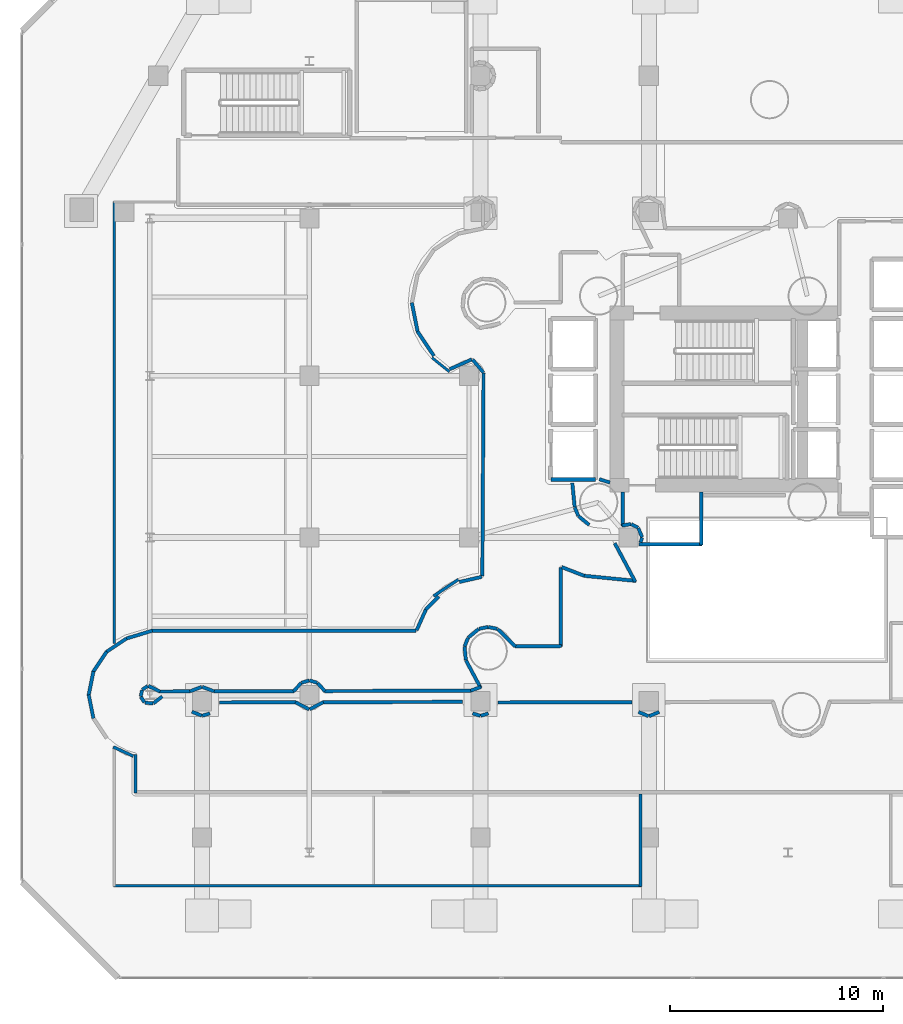
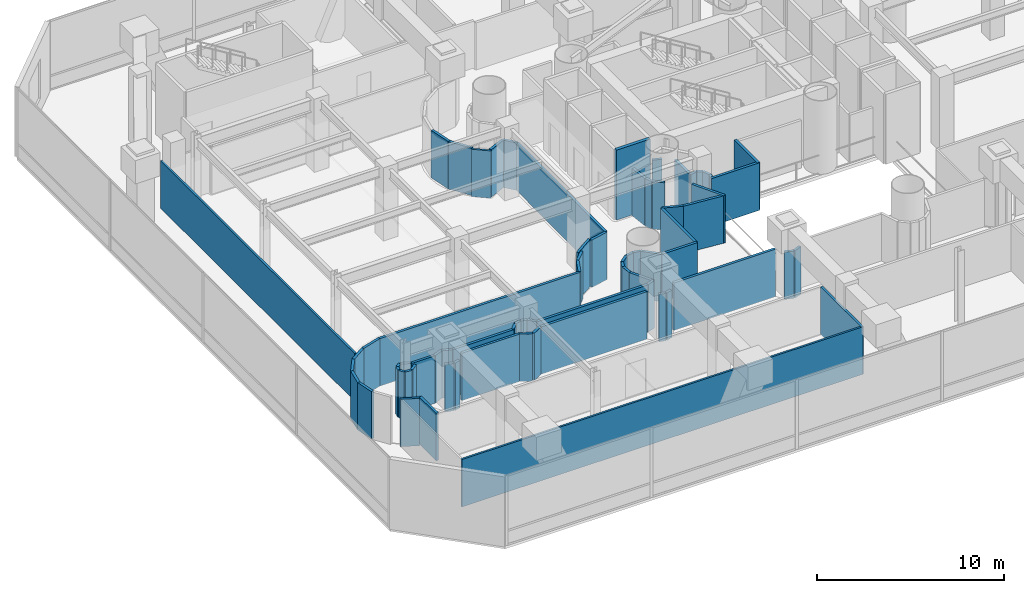
# One storey, part 31 of 45: 72 walls.
"""IFC4 building model written with IfcOpenShell, lengths in metres."""

from ifc_helpers import new_model, si_unit, direction, frame, frame_2d, origin, place, context, subcontext, project, spatial, rectangle, extrude, material, layer, layer_set, type_object, element, save


model = new_model("IFC4")

# Units and contexts
model_context = context("Model", 3, precision=1e-05, world=origin(), true_north=direction((0.0, 1.0)))
body_context = subcontext(model_context, "Body", "Model", "MODEL_VIEW")
ifc_project = project(units=[si_unit("LENGTHUNIT", "METRE"), si_unit("AREAUNIT", "SQUARE_METRE"), si_unit("VOLUMEUNIT", "CUBIC_METRE"), si_unit("PLANEANGLEUNIT", "RADIAN"), si_unit("MASSUNIT", "GRAM", prefix="KILO")], contexts=[model_context])

# Site, building, storey
site_placement = place(None, origin())
site = spatial("IfcSite", under=ifc_project, at=site_placement, CompositionType="ELEMENT")
building_placement = place(site_placement, origin())
building = spatial("IfcBuilding", under=site, at=building_placement, Name="Qianvela Tower", CompositionType="ELEMENT")
storey_placement = place(building_placement, frame((0.0, 0.0, 11.0)))
storey = spatial("IfcBuildingStorey", under=building, at=storey_placement, Name="L02", CompositionType="ELEMENT", Elevation=11.0)

# Walls
ifc_material_1 = material(Name="Fire-Rated Gypsum and Concrete Block", Category="concrete")
ifc_layer_1 = layer(ifc_material_1, 0.159912109375)
ifc_layer_set_1 = layer_set([ifc_layer_1], Name="Fire-Rated Gypsum and Concrete Block")
wall_type_1 = type_object("IfcWallType", Name="WT-CORR-160", PredefinedType="PARTITIONING", material=ifc_layer_set_1)
wall_1_placement = place(storey_placement, frame((30.569091796875, 21.970458984375, 0.0), z_axis=(0.0, 0.0, 1.0), x_axis=(0.304162531931, 0.952620152091, 0.0)))
element("IfcWall", 1, at=wall_1_placement, inside=storey, type_object=wall_type_1, Name="L02 Partition 5", PredefinedType="PARTITIONING", context=body_context, shape_type="SweptSolid", body=[
    extrude(rectangle(XDim=0.231201171875, YDim=0.159912109375, at=frame_2d((0.11572265625, 0.0))), origin(), (0.0, 0.0, 1.0), 3.10009765625),
])
wall_2_placement = place(storey_placement, frame((30.638671875, 22.2119140625, 0.0), z_axis=(0.0, 0.0, 1.0), x_axis=(-0.382721202621, 0.923863886655, 0.0)))
element("IfcWall", 2, at=wall_2_placement, inside=storey, type_object=wall_type_1, Name="L02 Partition 6", PredefinedType="PARTITIONING", context=body_context, shape_type="SweptSolid", body=[
    extrude(rectangle(XDim=0.467041015625, YDim=0.159912109375, at=frame_2d((0.2333984375, 0.0))), origin(), (0.0, 0.0, 1.0), 3.10009765625),
])
wall_3_placement = place(storey_placement, frame((30.44580078125, 22.65869140625, 0.0), z_axis=(0.0, 0.0, 1.0), x_axis=(-0.881817981942, 0.471589913721, 0.0)))
element("IfcWall", 3, at=wall_3_placement, inside=storey, type_object=wall_type_1, Name="L02 Partition 7", PredefinedType="PARTITIONING", context=body_context, shape_type="SweptSolid", body=[
    extrude(rectangle(XDim=0.35400390625, YDim=0.159912109375, at=frame_2d((0.177001953125, 0.0))), origin(), (0.0, 0.0, 1.0), 3.10009765625),
])
wall_4_placement = place(storey_placement, frame((30.114013671875, 22.828857421875, 0.0), z_axis=(0.0, 0.0, 1.0), x_axis=(-0.986222627979, -0.165423480989, 0.0)))
element("IfcWall", 4, at=wall_4_placement, inside=storey, type_object=wall_type_1, Name="L02 Partition 8", PredefinedType="PARTITIONING", context=body_context, shape_type="SweptSolid", body=[
    extrude(rectangle(XDim=0.425048828125, YDim=0.159912109375, at=frame_2d((0.21240234375, 0.0))), origin(), (0.0, 0.0, 1.0), 3.10009765625),
])
wall_5_placement = place(storey_placement, frame((29.73095703125, 22.72802734375, 0.0), z_axis=(0.0, 0.0, 1.0), x_axis=(0.0, 1.0, 0.0)))
element("IfcWall", 5, at=wall_5_placement, inside=storey, type_object=wall_type_1, Name="L02 Partition 9", PredefinedType="PARTITIONING", context=body_context, shape_type="SweptSolid", body=[
    extrude(rectangle(XDim=1.614013671875, YDim=0.159912109375, at=frame_2d((0.80712890625, 0.0))), origin(), (0.0, 0.0, 1.0), 3.10009765625),
])
wall_6_placement = place(storey_placement, frame((33.4189453125, 24.342041015625, 0.0), z_axis=(0.0, 0.0, 1.0), x_axis=(0.0, -1.0, 0.0)))
element("IfcWall", 6, at=wall_6_placement, inside=storey, type_object=wall_type_1, Name="L02 Partition 11", PredefinedType="PARTITIONING", context=body_context, shape_type="SweptSolid", body=[
    extrude(rectangle(XDim=2.491943359375, YDim=0.159912109375, at=frame_2d((1.24609375, 0.0))), origin(), (0.0, 0.0, 1.0), 3.10009765625),
])
wall_7_placement = place(storey_placement, frame((33.449951171875, 21.881103515625, 0.0), z_axis=(0.0, 0.0, 1.0), x_axis=(-1.0, 0.0, 0.0)))
element("IfcWall", 7, at=wall_7_placement, inside=storey, type_object=wall_type_1, Name="L02 Partition 12", PredefinedType="PARTITIONING", context=body_context, shape_type="SweptSolid", body=[
    extrude(rectangle(XDim=2.951904296875, YDim=0.159912109375, at=frame_2d((1.47607421875, 0.0))), origin(), (0.0, 0.0, 1.0), 3.10009765625),
])
wall_8_placement = place(storey_placement, frame((29.1298828125, 24.781982421875, 0.0), z_axis=(0.0, 0.0, 1.0), x_axis=(-0.955000482512, 0.296604245422, 0.0)))
element("IfcWall", 8, at=wall_8_placement, inside=storey, type_object=wall_type_1, Name="L02 Partition 29", PredefinedType="PARTITIONING", context=body_context, shape_type="SweptSolid", body=[
    extrude(rectangle(XDim=0.5244140625, YDim=0.159912109375, at=frame_2d((0.26220703125, 0.0))), origin(), (0.0, 0.0, 1.0), 3.10009765625),
])
wall_9_placement = place(storey_placement, frame((7.982177734375, 14.9580078125, 0.0), z_axis=(0.0, 0.0, 1.0), x_axis=(-0.901711421795, 0.432338422771, 0.0)))
element("IfcWall", 9, at=wall_9_placement, inside=storey, type_object=wall_type_1, Name="L02 Partition 36", PredefinedType="PARTITIONING", context=body_context, shape_type="SweptSolid", body=[
    extrude(rectangle(XDim=0.6064453125, YDim=0.159912109375, at=frame_2d((0.30322265625, 0.0))), origin(), (0.0, 0.0, 1.0), 3.10009765625),
])
for number, where, z_axis, x_axis, name in (
    (10, (7.40478515625, 15.218017578125, 0.0), (0.0, 0.0, 1.0), (-0.83180482467, -0.555068224325, 0.0), "L02 Partition 37"),
    (11, (7.136962890625, 15.0283203125, 0.0), (0.0, 0.0, 1.0), (-0.194582302114, -0.980886195083, 0.0), "L02 Partition 38"),
    (12, (7.081787109375, 14.70458984375, 0.0), (0.0, 0.0, 1.0), (0.555988102953, -0.831190248604, 0.0), "L02 Partition 39"),
):
    element("IfcWall", number, at=place(storey_placement, frame(where, z_axis=z_axis, x_axis=x_axis)), inside=storey, type_object=wall_type_1, Name=name, PredefinedType="PARTITIONING", context=body_context, shape_type="SweptSolid", body=[
        extrude(rectangle(XDim=0.30615234375, YDim=0.159912109375, at=frame_2d((0.153076171875, 0.0))), origin(), (0.0, 0.0, 1.0), 3.10009765625),
    ])
wall_10_placement = place(storey_placement, frame((7.274658203125, 14.4365234375, 0.0), z_axis=(0.0, 0.0, 1.0), x_axis=(0.995208778937, -0.097772625647, 0.0)))
element("IfcWall", 13, at=wall_10_placement, inside=storey, type_object=wall_type_1, Name="L02 Partition 40", PredefinedType="PARTITIONING", context=body_context, shape_type="SweptSolid", body=[
    extrude(rectangle(XDim=0.376953125, YDim=0.159912109375, at=frame_2d((0.1884765625, 0.0))), origin(), (0.0, 0.0, 1.0), 3.10009765625),
])
wall_11_placement = place(storey_placement, frame((7.672119140625, 14.406005859375, 0.0), z_axis=(0.0, 0.0, 1.0), x_axis=(0.791408132768, 0.611288121419, 0.0)))
element("IfcWall", 14, at=wall_11_placement, inside=storey, type_object=wall_type_1, Name="L02 Partition 41", PredefinedType="PARTITIONING", context=body_context, shape_type="SweptSolid", body=[
    extrude(rectangle(XDim=0.523193359375, YDim=0.159912109375, at=frame_2d((0.26171875, 0.0))), origin(), (0.0, 0.0, 1.0), 3.10009765625),
])
wall_12_placement = place(storey_placement, frame((9.48388671875, 14.01171875, 0.0), z_axis=(0.0, 0.0, 1.0), x_axis=(0.923873311503, -0.382698450862, 0.0)))
element("IfcWall", 15, at=wall_12_placement, inside=storey, type_object=wall_type_1, Name="L02 Partition 44", PredefinedType="PARTITIONING", context=body_context, shape_type="SweptSolid", body=[
    extrude(rectangle(XDim=0.49755859375, YDim=0.159912109375, at=frame_2d((0.248779296875, 0.0))), origin(), (0.0, 0.0, 1.0), 3.10009765625),
])
wall_13_placement = place(storey_placement, frame((9.96435546875, 13.8203125, 0.0), z_axis=(0.0, 0.0, 1.0), x_axis=(0.956877365317, 0.290492181898, 0.0)))
element("IfcWall", 16, at=wall_13_placement, inside=storey, type_object=wall_type_1, Name="L02 Partition 45", PredefinedType="PARTITIONING", context=body_context, shape_type="SweptSolid", body=[
    extrude(rectangle(XDim=0.37744140625, YDim=0.159912109375, at=frame_2d((0.188720703125, 0.0))), origin(), (0.0, 0.0, 1.0), 3.10009765625),
])
wall_14_placement = place(storey_placement, frame((10.772216796875, 14.4443359375, 0.0), z_axis=(0.0, 0.0, 1.0), x_axis=(0.999996839238, 0.002514262235, 0.0)))
element("IfcWall", 17, at=wall_14_placement, inside=storey, type_object=wall_type_1, Name="L02 Partition 47", PredefinedType="PARTITIONING", context=body_context, shape_type="SweptSolid", body=[
    extrude(rectangle(XDim=3.5927734375, YDim=0.159912109375, at=frame_2d((1.79638671875, 0.0))), origin(), (0.0, 0.0, 1.0), 3.10009765625),
])
wall_15_placement = place(storey_placement, frame((14.350341796875, 14.45703125, 0.0), z_axis=(0.0, 0.0, 1.0), x_axis=(0.884844444862, -0.46588658319, 0.0)))
element("IfcWall", 18, at=wall_15_placement, inside=storey, type_object=wall_type_1, Name="L02 Partition 48", PredefinedType="PARTITIONING", context=body_context, shape_type="SweptSolid", body=[
    extrude(rectangle(XDim=0.718017578125, YDim=0.159912109375, at=frame_2d((0.35888671875, 0.0))), origin(), (0.0, 0.0, 1.0), 3.10009765625),
])
wall_16_placement = place(storey_placement, frame((15.014404296875, 14.12255859375, 0.0), z_axis=(0.0, 0.0, 1.0), x_axis=(0.884206543693, 0.467096122967, 0.0)))
element("IfcWall", 19, at=wall_16_placement, inside=storey, type_object=wall_type_1, Name="L02 Partition 49", PredefinedType="PARTITIONING", context=body_context, shape_type="SweptSolid", body=[
    extrude(rectangle(XDim=0.722900390625, YDim=0.159912109375, at=frame_2d((0.361328125, 0.0))), origin(), (0.0, 0.0, 1.0), 3.10009765625),
])
wall_17_placement = place(storey_placement, frame((15.63916015625, 14.45654296875, 0.0), z_axis=(0.0, 0.0, 1.0), x_axis=(0.99999689636, 0.002491439538, 0.0)))
element("IfcWall", 20, at=wall_17_placement, inside=storey, type_object=wall_type_1, Name="L02 Partition 50", PredefinedType="PARTITIONING", context=body_context, shape_type="SweptSolid", body=[
    extrude(rectangle(XDim=6.5654296875, YDim=0.159912109375, at=frame_2d((3.28271484375, 0.0))), origin(), (0.0, 0.0, 1.0), 3.10009765625),
])
for number, where, z_axis, x_axis, name in (
    (21, (22.674560546875, 13.929931640625, 0.0), (0.0, 0.0, 1.0), (0.956877365317, -0.290492181898, 0.0), "L02 Partition 52"),
    (22, (23.0537109375, 13.8203125, 0.0), (0.0, 0.0, 1.0), (0.956877365317, 0.290492181898, 0.0), "L02 Partition 53"),
):
    element("IfcWall", number, at=place(storey_placement, frame(where, z_axis=z_axis, x_axis=x_axis)), inside=storey, type_object=wall_type_1, Name=name, PredefinedType="PARTITIONING", context=body_context, shape_type="SweptSolid", body=[
        extrude(rectangle(XDim=0.37744140625, YDim=0.159912109375, at=frame_2d((0.188720703125, 0.0))), origin(), (0.0, 0.0, 1.0), 3.10009765625),
    ])
wall_18_placement = place(storey_placement, frame((23.861328125, 14.4443359375, 0.0), z_axis=(0.0, 0.0, 1.0), x_axis=(0.999996837175, 0.002515082588, 0.0)))
element("IfcWall", 23, at=wall_18_placement, inside=storey, type_object=wall_type_1, Name="L02 Partition 55", PredefinedType="PARTITIONING", context=body_context, shape_type="SweptSolid", body=[
    extrude(rectangle(XDim=6.3095703125, YDim=0.159912109375, at=frame_2d((3.15478515625, 0.0))), origin(), (0.0, 0.0, 1.0), 3.10009765625),
])
wall_19_placement = place(storey_placement, frame((30.4697265625, 13.99755859375, 0.0), z_axis=(0.0, 0.0, 1.0), x_axis=(0.924045828763, -0.382281710714, 0.0)))
element("IfcWall", 24, at=wall_19_placement, inside=storey, type_object=wall_type_1, Name="L02 Partition 56", PredefinedType="PARTITIONING", context=body_context, shape_type="SweptSolid", body=[
    extrude(rectangle(XDim=0.512939453125, YDim=0.159912109375, at=frame_2d((0.25634765625, 0.0))), origin(), (0.0, 0.0, 1.0), 3.10009765625),
])
wall_20_placement = place(storey_placement, frame((30.96728515625, 13.801513671875, 0.0), z_axis=(0.0, 0.0, 1.0), x_axis=(0.923976210744, 0.382449947024, 0.0)))
element("IfcWall", 25, at=wall_20_placement, inside=storey, type_object=wall_type_1, Name="L02 Partition 57", PredefinedType="PARTITIONING", context=body_context, shape_type="SweptSolid", body=[
    extrude(rectangle(XDim=0.5126953125, YDim=0.159912109375, at=frame_2d((0.25634765625, 0.0))), origin(), (0.0, 0.0, 1.0), 3.10009765625),
])
wall_21_placement = place(storey_placement, frame((6.8310546875, 10.199951171875, 0.0), z_axis=(0.0, 0.0, 1.0), x_axis=(0.0, 1.0, 0.0)))
element("IfcWall", 26, at=wall_21_placement, inside=storey, type_object=wall_type_1, Name="L02 Partition 86", PredefinedType="PARTITIONING", context=body_context, shape_type="SweptSolid", body=[
    extrude(rectangle(XDim=1.79638671875, YDim=0.159912109375, at=frame_2d((0.898193359375, 0.0))), origin(), (0.0, 0.0, 1.0), 3.10009765625),
])
wall_22_placement = place(storey_placement, frame((4.851318359375, 13.6962890625, 0.0), z_axis=(0.0, 0.0, 1.0), x_axis=(-0.195286119633, 0.980746313518, 0.0)))
element("IfcWall", 27, at=wall_22_placement, inside=storey, type_object=wall_type_1, Name="L02 Partition 89", PredefinedType="PARTITIONING", context=body_context, shape_type="SweptSolid", body=[
    extrude(rectangle(XDim=1.13134765625, YDim=0.159912109375, at=frame_2d((0.565673828125, 0.0))), origin(), (0.0, 0.0, 1.0), 3.10009765625),
])
for number, where, z_axis, x_axis, name in (
    (28, (4.63037109375, 14.7939453125, 0.0), (0.0, 0.0, 1.0), (0.195244799589, 0.980754540256, 0.0), "L02 Partition 90"),
    (29, (4.846435546875, 15.892578125, 0.0), (0.0, 0.0, 1.0), (0.555546297918, 0.831485604728, 0.0), "L02 Partition 91"),
):
    element("IfcWall", number, at=place(storey_placement, frame(where, z_axis=z_axis, x_axis=x_axis)), inside=storey, type_object=wall_type_1, Name=name, PredefinedType="PARTITIONING", context=body_context, shape_type="SweptSolid", body=[
        extrude(rectangle(XDim=1.131591796875, YDim=0.159912109375, at=frame_2d((0.56591796875, 0.0))), origin(), (0.0, 0.0, 1.0), 3.10009765625),
    ])
wall_23_placement = place(storey_placement, frame((5.466552734375, 16.82470703125, 0.0), z_axis=(0.0, 0.0, 1.0), x_axis=(0.831385943955, 0.555695431144, 0.0)))
element("IfcWall", 30, at=wall_23_placement, inside=storey, type_object=wall_type_1, Name="L02 Partition 92", PredefinedType="PARTITIONING", context=body_context, shape_type="SweptSolid", body=[
    extrude(rectangle(XDim=1.1318359375, YDim=0.159912109375, at=frame_2d((0.56591796875, 0.0))), origin(), (0.0, 0.0, 1.0), 3.10009765625),
])
wall_24_placement = place(storey_placement, frame((6.399169921875, 17.44970703125, 0.0), z_axis=(0.0, 0.0, 1.0), x_axis=(0.956969723054, 0.29018778258, 0.0)))
element("IfcWall", 31, at=wall_24_placement, inside=storey, type_object=wall_type_1, Name="L02 Partition 93", PredefinedType="PARTITIONING", context=body_context, shape_type="SweptSolid", body=[
    extrude(rectangle(XDim=1.277099609375, YDim=0.159912109375, at=frame_2d((0.638671875, 0.0))), origin(), (0.0, 0.0, 1.0), 3.10009765625),
])
wall_25_placement = place(storey_placement, frame((7.6123046875, 17.819091796875, 0.0), z_axis=(0.0, 0.0, 1.0), x_axis=(1.0, 0.0, 0.0)))
element("IfcWall", 32, at=wall_25_placement, inside=storey, type_object=wall_type_1, Name="L02 Partition 94", PredefinedType="PARTITIONING", context=body_context, shape_type="SweptSolid", body=[
    extrude(rectangle(XDim=12.400146484375, YDim=0.159912109375, at=frame_2d((6.2001953125, 0.0))), origin(), (0.0, 0.0, 1.0), 3.10009765625),
])
wall_26_placement = place(storey_placement, frame((20.040771484375, 17.83740234375, 0.0), z_axis=(0.0, 0.0, 1.0), x_axis=(0.408788829115, 0.912629000849, 0.0)))
element("IfcWall", 33, at=wall_26_placement, inside=storey, type_object=wall_type_1, Name="L02 Partition 95", PredefinedType="PARTITIONING", context=body_context, shape_type="SweptSolid", body=[
    extrude(rectangle(XDim=1.076171875, YDim=0.159912109375, at=frame_2d((0.5380859375, 0.0))), origin(), (0.0, 0.0, 1.0), 3.10009765625),
])
wall_27_placement = place(storey_placement, frame((20.47412109375, 18.810302734375, 0.0), z_axis=(0.0, 0.0, 1.0), x_axis=(0.707106781187, 0.707106781187, 0.0)))
element("IfcWall", 34, at=wall_27_placement, inside=storey, type_object=wall_type_1, Name="L02 Partition 96", PredefinedType="PARTITIONING", context=body_context, shape_type="SweptSolid", body=[
    extrude(rectangle(XDim=0.87109375, YDim=0.159912109375, at=frame_2d((0.435546875, 0.0))), origin(), (0.0, 0.0, 1.0), 3.10009765625),
])
wall_28_placement = place(storey_placement, frame((22.052490234375, 20.109619140625, 0.0), z_axis=(0.0, 0.0, 1.0), x_axis=(0.975015186626, 0.222138213392, 0.0)))
element("IfcWall", 35, at=wall_28_placement, inside=storey, type_object=wall_type_1, Name="L02 Partition 98", PredefinedType="PARTITIONING", context=body_context, shape_type="SweptSolid", body=[
    extrude(rectangle(XDim=1.08154296875, YDim=0.159912109375, at=frame_2d((0.540771484375, 0.0))), origin(), (0.0, 0.0, 1.0), 3.10009765625),
])
wall_29_placement = place(storey_placement, frame((23.131103515625, 20.3798828125, 0.0), z_axis=(0.0, 0.0, 1.0), x_axis=(0.005956079326, 0.999982262402, 0.0)))
element("IfcWall", 36, at=wall_29_placement, inside=storey, type_object=wall_type_1, Name="L02 Partition 99", PredefinedType="PARTITIONING", context=body_context, shape_type="SweptSolid", body=[
    extrude(rectangle(XDim=9.55078125, YDim=0.159912109375, at=frame_2d((4.775390625, 0.0))), origin(), (0.0, 0.0, 1.0), 3.10009765625),
])
wall_30_placement = place(storey_placement, frame((23.180908203125, 29.95068359375, 0.0), z_axis=(0.0, 0.0, 1.0), x_axis=(-0.640697591863, 0.767793328821, 0.0)))
element("IfcWall", 37, at=wall_30_placement, inside=storey, type_object=wall_type_1, Name="L02 Partition 100", PredefinedType="PARTITIONING", context=body_context, shape_type="SweptSolid", body=[
    extrude(rectangle(XDim=0.795166015625, YDim=0.159912109375, at=frame_2d((0.3974609375, 0.0))), origin(), (0.0, 0.0, 1.0), 3.10009765625),
])
wall_31_placement = place(storey_placement, frame((22.635009765625, 30.56982421875, 0.0), z_axis=(0.0, 0.0, 1.0), x_axis=(-0.913740840528, -0.406297521961, 0.0)))
element("IfcWall", 38, at=wall_31_placement, inside=storey, type_object=wall_type_1, Name="L02 Partition 101", PredefinedType="PARTITIONING", context=body_context, shape_type="SweptSolid", body=[
    extrude(rectangle(XDim=1.139404296875, YDim=0.159912109375, at=frame_2d((0.56982421875, 0.0))), origin(), (0.0, 0.0, 1.0), 3.10009765625),
])
for number, where, z_axis, x_axis, name in (
    (39, (20.853515625, 30.735107421875, 0.0), (0.0, 0.0, 1.0), (-0.555594771308, 0.831453215819, 0.0), "L02 Partition 103"),
    (40, (20.088623046875, 31.87548828125, 0.0), (0.0, 0.0, 1.0), (-0.195132981816, 0.980776793877, 0.0), "L02 Partition 104"),
):
    element("IfcWall", number, at=place(storey_placement, frame(where, z_axis=z_axis, x_axis=x_axis)), inside=storey, type_object=wall_type_1, Name=name, PredefinedType="PARTITIONING", context=body_context, shape_type="SweptSolid", body=[
        extrude(rectangle(XDim=1.385009765625, YDim=0.159912109375, at=frame_2d((0.6923828125, 0.0))), origin(), (0.0, 0.0, 1.0), 3.10009765625),
    ])
wall_32_placement = place(storey_placement, frame((27.359619140625, 24.757080078125, 0.0), z_axis=(0.0, 0.0, 1.0), x_axis=(0.097947688066, -0.995191564676, 0.0)))
element("IfcWall", 41, at=wall_32_placement, inside=storey, type_object=wall_type_1, Name="L02 Partition 156", PredefinedType="PARTITIONING", context=body_context, shape_type="SweptSolid", body=[
    extrude(rectangle(XDim=1.134033203125, YDim=0.159912109375, at=frame_2d((0.56689453125, 0.0))), origin(), (0.0, 0.0, 1.0), 3.10009765625),
])
wall_33_placement = place(storey_placement, frame((27.472900390625, 23.61962890625, 0.0), z_axis=(0.0, 0.0, 1.0), x_axis=(0.382631351728, -0.923901103298, 0.0)))
element("IfcWall", 42, at=wall_33_placement, inside=storey, type_object=wall_type_1, Name="L02 Partition 157", PredefinedType="PARTITIONING", context=body_context, shape_type="SweptSolid", body=[
    extrude(rectangle(XDim=0.43701171875, YDim=0.159912109375, at=frame_2d((0.218505859375, 0.0))), origin(), (0.0, 0.0, 1.0), 3.10009765625),
])
wall_34_placement = place(storey_placement, frame((27.649169921875, 23.203857421875, 0.0), z_axis=(0.0, 0.0, 1.0), x_axis=(0.772818338666, -0.634627304346, 0.0)))
element("IfcWall", 43, at=wall_34_placement, inside=storey, type_object=wall_type_1, Name="L02 Partition 158", PredefinedType="PARTITIONING", context=body_context, shape_type="SweptSolid", body=[
    extrude(rectangle(XDim=0.650146484375, YDim=0.159912109375, at=frame_2d((0.3251953125, 0.0))), origin(), (0.0, 0.0, 1.0), 3.10009765625),
])
wall_35_placement = place(storey_placement, frame((29.353759765625, 21.928955078125, 0.0), z_axis=(0.0, 0.0, 1.0), x_axis=(0.471375681313, -0.881932518432, 0.0)))
element("IfcWall", 44, at=wall_35_placement, inside=storey, type_object=wall_type_1, Name="L02 Partition 161", PredefinedType="PARTITIONING", context=body_context, shape_type="SweptSolid", body=[
    extrude(rectangle(XDim=2.059326171875, YDim=0.159912109375, at=frame_2d((1.02978515625, 0.0))), origin(), (0.0, 0.0, 1.0), 3.10009765625),
])
wall_36_placement = place(storey_placement, frame((30.354736328125, 20.158203125, 0.0), z_axis=(0.0, 0.0, 1.0), x_axis=(-0.995175956992, 0.098106139588, 0.0)))
element("IfcWall", 45, at=wall_36_placement, inside=storey, type_object=wall_type_1, Name="L02 Partition 162", PredefinedType="PARTITIONING", context=body_context, shape_type="SweptSolid", body=[
    extrude(rectangle(XDim=2.456298828125, YDim=0.159912109375, at=frame_2d((1.22802734375, 0.0))), origin(), (0.0, 0.0, 1.0), 3.10009765625),
])
wall_37_placement = place(storey_placement, frame((27.918701171875, 20.397216796875, 0.0), z_axis=(0.0, 0.0, 1.0), x_axis=(-0.932053116436, 0.362321663915, 0.0)))
element("IfcWall", 46, at=wall_37_placement, inside=storey, type_object=wall_type_1, Name="L02 Partition 163", PredefinedType="PARTITIONING", context=body_context, shape_type="SweptSolid", body=[
    extrude(rectangle(XDim=1.134765625, YDim=0.159912109375, at=frame_2d((0.5673828125, 0.0))), origin(), (0.0, 0.0, 1.0), 3.10009765625),
])
wall_38_placement = place(storey_placement, frame((26.819091796875, 20.779541015625, 0.0), z_axis=(0.0, 0.0, 1.0), x_axis=(0.0, -1.0, 0.0)))
element("IfcWall", 47, at=wall_38_placement, inside=storey, type_object=wall_type_1, Name="L02 Partition 164", PredefinedType="PARTITIONING", context=body_context, shape_type="SweptSolid", body=[
    extrude(rectangle(XDim=3.713623046875, YDim=0.159912109375, at=frame_2d((1.85693359375, 0.0))), origin(), (0.0, 0.0, 1.0), 3.10009765625),
])
wall_39_placement = place(storey_placement, frame((26.849853515625, 17.096923828125, 0.0), z_axis=(0.0, 0.0, 1.0), x_axis=(-0.999996725859, -0.002558959134, 0.0)))
element("IfcWall", 48, at=wall_39_placement, inside=storey, type_object=wall_type_1, Name="L02 Partition 165", PredefinedType="PARTITIONING", context=body_context, shape_type="SweptSolid", body=[
    extrude(rectangle(XDim=2.1943359375, YDim=0.159912109375, at=frame_2d((1.09716796875, 0.0))), origin(), (0.0, 0.0, 1.0), 3.10009765625),
])
wall_40_placement = place(storey_placement, frame((24.677490234375, 17.08251953125, 0.0), z_axis=(0.0, 0.0, 1.0), x_axis=(-0.713472491748, 0.700683240501, 0.0)))
element("IfcWall", 49, at=wall_40_placement, inside=storey, type_object=wall_type_1, Name="L02 Partition 166", PredefinedType="PARTITIONING", context=body_context, shape_type="SweptSolid", body=[
    extrude(rectangle(XDim=1.16455078125, YDim=0.159912109375, at=frame_2d((0.582275390625, 0.0))), origin(), (0.0, 0.0, 1.0), 3.10009765625),
])
wall_41_placement = place(storey_placement, frame((23.8310546875, 17.90673828125, 0.0), z_axis=(0.0, 0.0, 1.0), x_axis=(-0.980798750293, 0.195022592087, 0.0)))
element("IfcWall", 50, at=wall_41_placement, inside=storey, type_object=wall_type_1, Name="L02 Partition 167", PredefinedType="PARTITIONING", context=body_context, shape_type="SweptSolid", body=[
    extrude(rectangle(XDim=0.429443359375, YDim=0.159912109375, at=frame_2d((0.21484375, 0.0))), origin(), (0.0, 0.0, 1.0), 3.10009765625),
])
wall_42_placement = place(storey_placement, frame((23.39794921875, 17.990478515625, 0.0), z_axis=(0.0, 0.0, 1.0), x_axis=(-0.980777106964, -0.195131408172, 0.0)))
element("IfcWall", 51, at=wall_42_placement, inside=storey, type_object=wall_type_1, Name="L02 Partition 168", PredefinedType="PARTITIONING", context=body_context, shape_type="SweptSolid", body=[
    extrude(rectangle(XDim=0.42919921875, YDim=0.159912109375, at=frame_2d((0.214599609375, 0.0))), origin(), (0.0, 0.0, 1.0), 3.10009765625),
])
wall_43_placement = place(storey_placement, frame((22.96337890625, 17.900146484375, 0.0), z_axis=(0.0, 0.0, 1.0), x_axis=(-0.773087792469, -0.634299034474, 0.0)))
element("IfcWall", 52, at=wall_43_placement, inside=storey, type_object=wall_type_1, Name="L02 Partition 169", PredefinedType="PARTITIONING", context=body_context, shape_type="SweptSolid", body=[
    extrude(rectangle(XDim=0.638427734375, YDim=0.159912109375, at=frame_2d((0.3193359375, 0.0))), origin(), (0.0, 0.0, 1.0), 3.10009765625),
])
wall_44_placement = place(storey_placement, frame((22.460693359375, 17.48291015625, 0.0), z_axis=(0.0, 0.0, 1.0), x_axis=(-0.38283742983, -0.923815729635, 0.0)))
element("IfcWall", 53, at=wall_44_placement, inside=storey, type_object=wall_type_1, Name="L02 Partition 170", PredefinedType="PARTITIONING", context=body_context, shape_type="SweptSolid", body=[
    extrude(rectangle(XDim=0.42919921875, YDim=0.159912109375, at=frame_2d((0.214599609375, 0.0))), origin(), (0.0, 0.0, 1.0), 3.10009765625),
])
wall_45_placement = place(storey_placement, frame((22.294189453125, 17.071533203125, 0.0), z_axis=(0.0, 0.0, 1.0), x_axis=(0.098254498399, -0.995161320362, 0.0)))
element("IfcWall", 54, at=wall_45_placement, inside=storey, type_object=wall_type_1, Name="L02 Partition 171", PredefinedType="PARTITIONING", context=body_context, shape_type="SweptSolid", body=[
    extrude(rectangle(XDim=0.638671875, YDim=0.159912109375, at=frame_2d((0.3193359375, 0.0))), origin(), (0.0, 0.0, 1.0), 3.10009765625),
])
wall_46_placement = place(storey_placement, frame((22.3603515625, 16.42431640625, 0.0), z_axis=(0.0, 0.0, 1.0), x_axis=(0.471504621347, -0.881863590386, 0.0)))
element("IfcWall", 55, at=wall_46_placement, inside=storey, type_object=wall_type_1, Name="L02 Partition 172", PredefinedType="PARTITIONING", context=body_context, shape_type="SweptSolid", body=[
    extrude(rectangle(XDim=1.46533203125, YDim=0.159912109375, at=frame_2d((0.732666015625, 0.0))), origin(), (0.0, 0.0, 1.0), 3.10009765625),
])
wall_47_placement = place(storey_placement, frame((23.067626953125, 15.17578125, 0.0), z_axis=(0.0, 0.0, 1.0), x_axis=(-0.937469307534, -0.348067949447, 0.0)))
element("IfcWall", 56, at=wall_47_placement, inside=storey, type_object=wall_type_1, Name="L02 Partition 173", PredefinedType="PARTITIONING", context=body_context, shape_type="SweptSolid", body=[
    extrude(rectangle(XDim=0.516845703125, YDim=0.159912109375, at=frame_2d((0.25830078125, 0.0))), origin(), (0.0, 0.0, 1.0), 3.10009765625),
])
wall_48_placement = place(storey_placement, frame((22.593505859375, 14.997802734375, 0.0), z_axis=(0.0, 0.0, 1.0), x_axis=(-0.999996914371, -0.002484199872, 0.0)))
element("IfcWall", 57, at=wall_48_placement, inside=storey, type_object=wall_type_1, Name="L02 Partition 174", PredefinedType="PARTITIONING", context=body_context, shape_type="SweptSolid", body=[
    extrude(rectangle(XDim=6.87939453125, YDim=0.159912109375, at=frame_2d((3.439697265625, 0.0))), origin(), (0.0, 0.0, 1.0), 3.10009765625),
])
wall_49_placement = place(storey_placement, frame((15.737060546875, 14.97021484375, 0.0), z_axis=(0.0, 0.0, 1.0), x_axis=(-0.67026978841, 0.74211751815, 0.0)))
element("IfcWall", 58, at=wall_49_placement, inside=storey, type_object=wall_type_1, Name="L02 Partition 175", PredefinedType="PARTITIONING", context=body_context, shape_type="SweptSolid", body=[
    extrude(rectangle(XDim=0.526611328125, YDim=0.159912109375, at=frame_2d((0.26318359375, 0.0))), origin(), (0.0, 0.0, 1.0), 3.10009765625),
])
for number, where, z_axis, x_axis, name in (
    (59, (15.3701171875, 15.3701171875, 0.0), (0.0, 0.0, 1.0), (-0.956877365317, 0.290492181898, 0.0), "L02 Partition 176"),
    (60, (14.990966796875, 15.479736328125, 0.0), (0.0, 0.0, 1.0), (-0.956877365317, -0.290492181898, 0.0), "L02 Partition 177"),
):
    element("IfcWall", number, at=place(storey_placement, frame(where, z_axis=z_axis, x_axis=x_axis)), inside=storey, type_object=wall_type_1, Name=name, PredefinedType="PARTITIONING", context=body_context, shape_type="SweptSolid", body=[
        extrude(rectangle(XDim=0.37744140625, YDim=0.159912109375, at=frame_2d((0.188720703125, 0.0))), origin(), (0.0, 0.0, 1.0), 3.10009765625),
    ])
wall_50_placement = place(storey_placement, frame((14.615966796875, 15.361083984375, 0.0), z_axis=(0.0, 0.0, 1.0), x_axis=(-0.670106609801, -0.742264866137, 0.0)))
element("IfcWall", 61, at=wall_50_placement, inside=storey, type_object=wall_type_1, Name="L02 Partition 178", PredefinedType="PARTITIONING", context=body_context, shape_type="SweptSolid", body=[
    extrude(rectangle(XDim=0.53125, YDim=0.159912109375, at=frame_2d((0.265625, 0.0))), origin(), (0.0, 0.0, 1.0), 3.10009765625),
])
wall_51_placement = place(storey_placement, frame((14.282958984375, 14.97705078125, 0.0), z_axis=(0.0, 0.0, 1.0), x_axis=(-0.999996814453, -0.002524100431, 0.0)))
element("IfcWall", 62, at=wall_51_placement, inside=storey, type_object=wall_type_1, Name="L02 Partition 179", PredefinedType="PARTITIONING", context=body_context, shape_type="SweptSolid", body=[
    extrude(rectangle(XDim=3.772216796875, YDim=0.159912109375, at=frame_2d((1.88623046875, 0.0))), origin(), (0.0, 0.0, 1.0), 3.10009765625),
])
wall_52_placement = place(storey_placement, frame((10.52197265625, 14.965576171875, 0.0), z_axis=(0.0, 0.0, 1.0), x_axis=(-0.933483016847, 0.358621607351, 0.0)))
element("IfcWall", 63, at=wall_52_placement, inside=storey, type_object=wall_type_1, Name="L02 Partition 180", PredefinedType="PARTITIONING", context=body_context, shape_type="SweptSolid", body=[
    extrude(rectangle(XDim=0.594970703125, YDim=0.159912109375, at=frame_2d((0.29736328125, 0.0))), origin(), (0.0, 0.0, 1.0), 3.10009765625),
])
wall_53_placement = place(storey_placement, frame((9.944091796875, 15.178955078125, 0.0), z_axis=(0.0, 0.0, 1.0), x_axis=(-0.932947074908, -0.360013548941, 0.0)))
element("IfcWall", 64, at=wall_53_placement, inside=storey, type_object=wall_type_1, Name="L02 Partition 181", PredefinedType="PARTITIONING", context=body_context, shape_type="SweptSolid", body=[
    extrude(rectangle(XDim=0.600830078125, YDim=0.159912109375, at=frame_2d((0.30029296875, 0.0))), origin(), (0.0, 0.0, 1.0), 3.10009765625),
])
wall_54_placement = place(storey_placement, frame((9.39453125, 14.96484375, 0.0), z_axis=(0.0, 0.0, 1.0), x_axis=(-0.999996701438, -0.002568484678, 0.0)))
element("IfcWall", 65, at=wall_54_placement, inside=storey, type_object=wall_type_1, Name="L02 Partition 182", PredefinedType="PARTITIONING", context=body_context, shape_type="SweptSolid", body=[
    extrude(rectangle(XDim=1.42578125, YDim=0.159912109375, at=frame_2d((0.712890625, 0.0))), origin(), (0.0, 0.0, 1.0), 3.10009765625),
])
ifc_material_2 = material(Name="Insulated Gypsum Stud Partition")
ifc_layer_2 = layer(ifc_material_2, 0.1201171875)
ifc_layer_set_2 = layer_set([ifc_layer_2], Name="Insulated Gypsum Stud Partition")
wall_type_2 = type_object("IfcWallType", Name="WT-PART-120", PredefinedType="PARTITIONING", material=ifc_layer_set_2)
wall_55_placement = place(storey_placement, frame((30.60009765625, 5.8310546875, 0.0), z_axis=(0.0, 0.0, 1.0), x_axis=(-1.0, 0.0, 0.0)))
element("IfcWall", 66, at=wall_55_placement, inside=storey, type_object=wall_type_2, Name="L02 Partition 196", PredefinedType="PARTITIONING", context=body_context, shape_type="SweptSolid", body=[
    extrude(rectangle(XDim=24.800048828125, YDim=0.1201171875, at=frame_2d((12.39990234375, 0.0))), origin(), (0.0, 0.0, 1.0), 3.10009765625),
])
wall_56_placement = place(storey_placement, frame((20.764404296875, 30.64990234375, 0.0), z_axis=(0.0, 0.0, 1.0), x_axis=(0.779139278088, -0.626850847762, 0.0)))
element("IfcWall", 67, at=wall_56_placement, inside=storey, type_object=wall_type_2, Name="L02 Partition 244", PredefinedType="PARTITIONING", context=body_context, shape_type="SweptSolid", body=[
    extrude(rectangle(XDim=1.04833984375, YDim=0.1201171875, at=frame_2d((0.524169921875, 0.0))), origin(), (0.0, 0.0, 1.0), 3.10009765625),
])
wall_57_placement = place(storey_placement, frame((5.8310546875, 17.218505859375, 0.0), z_axis=(0.0, 0.0, 1.0), x_axis=(0.0, 1.0, 0.0)))
element("IfcWall", 68, at=wall_57_placement, inside=storey, type_object=wall_type_2, Name="L02 Partition 253", PredefinedType="PARTITIONING", context=body_context, shape_type="SweptSolid", body=[
    extrude(rectangle(XDim=20.781494140625, YDim=0.1201171875, at=frame_2d((10.390625, 0.0))), origin(), (0.0, 0.0, 1.0), 3.10009765625),
])
ifc_material_3 = material(Name="Acoustic Double Gypsum Stud Partition")
ifc_layer_3 = layer(ifc_material_3, 0.139892578125)
ifc_layer_set_3 = layer_set([ifc_layer_3], Name="Acoustic Double Gypsum Stud Partition")
wall_type_3 = type_object("IfcWallType", Name="WT-ROOM-140", PredefinedType="PARTITIONING", material=ifc_layer_set_3)
wall_58_placement = place(storey_placement, frame((5.787109375, 12.353271484375, 0.0), z_axis=(0.0, 0.0, 1.0), x_axis=(0.908698668485, -0.417452667849, 0.0)))
element("IfcWall", 69, at=wall_58_placement, inside=storey, type_object=wall_type_3, Name="L02 Partition 198", PredefinedType="PARTITIONING", context=body_context, shape_type="SweptSolid", body=[
    extrude(rectangle(XDim=1.0322265625, YDim=0.139892578125, at=frame_2d((0.51611328125, 0.0))), origin(), (0.0, 0.0, 1.0), 3.10009765625),
])
wall_59_placement = place(storey_placement, frame((30.569091796875, 10.137939453125, 0.0), z_axis=(0.0, 0.0, 1.0), x_axis=(0.0, -1.0, 0.0)))
element("IfcWall", 70, at=wall_59_placement, inside=storey, type_object=wall_type_3, Name="L02 Partition 201", PredefinedType="PARTITIONING", context=body_context, shape_type="SweptSolid", body=[
    extrude(rectangle(XDim=4.337890625, YDim=0.139892578125, at=frame_2d((2.1689453125, 0.0))), origin(), (0.0, 0.0, 1.0), 3.10009765625),
])
wall_60_placement = place(storey_placement, frame((22.00439453125, 20.222900390625, 0.0), z_axis=(0.0, 0.0, 1.0), x_axis=(-0.831755764533, -0.555141737006, 0.0)))
element("IfcWall", 71, at=wall_60_placement, inside=storey, type_object=wall_type_3, Name="L02 Partition 249", PredefinedType="PARTITIONING", context=body_context, shape_type="SweptSolid", body=[
    extrude(rectangle(XDim=1.4033203125, YDim=0.139892578125, at=frame_2d((0.70166015625, 0.0))), origin(), (0.0, 0.0, 1.0), 3.10009765625),
])
ifc_material_4 = material(Name="Concrete C50", Category="concrete")
ifc_layer_4 = layer(ifc_material_4, 0.199951171875)
ifc_layer_set_4 = layer_set([ifc_layer_4], Name="Concrete C50")
wall_type_4 = type_object("IfcWallType", Name="WT-SHAFT-200", PredefinedType="SOLIDWALL", material=ifc_layer_set_4)
wall_61_placement = place(storey_placement, frame((26.35009765625, 24.919921875, 0.0), z_axis=(0.0, 0.0, 1.0), x_axis=(1.0, 0.0, 0.0)))
element("IfcWall", 72, at=wall_61_placement, inside=storey, type_object=wall_type_4, Name="L02 Lift PL-L3 S Shaft Wall", PredefinedType="SOLIDWALL", context=body_context, shape_type="SweptSolid", body=[
    extrude(rectangle(XDim=2.099853515625, YDim=0.199951171875, at=frame_2d((1.0498046875, 0.0))), origin(), (0.0, 0.0, 1.0), 4.580078125),
])

save(model, "model.ifc")
